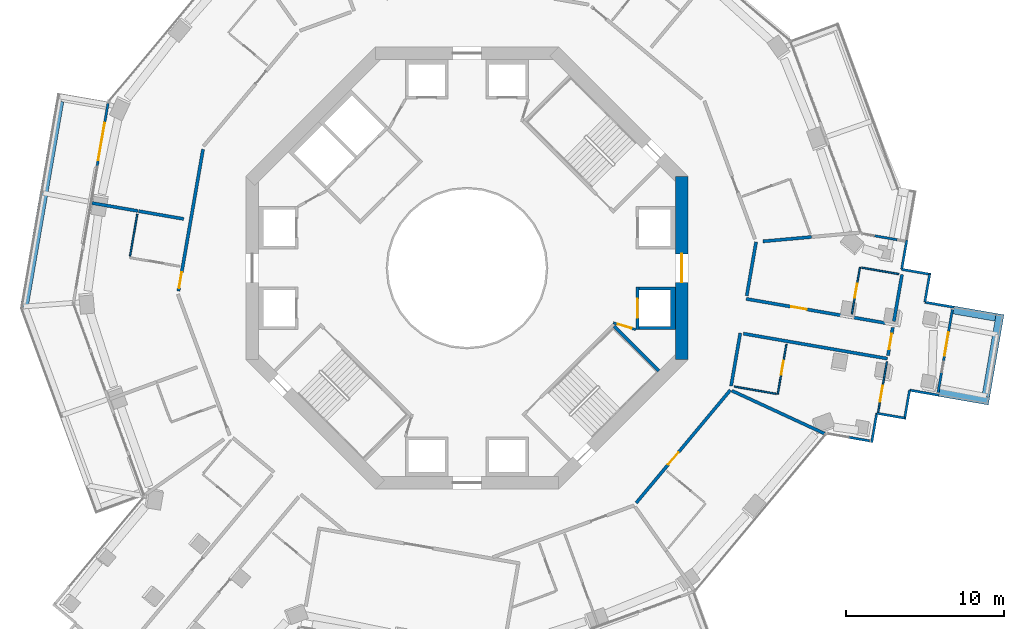
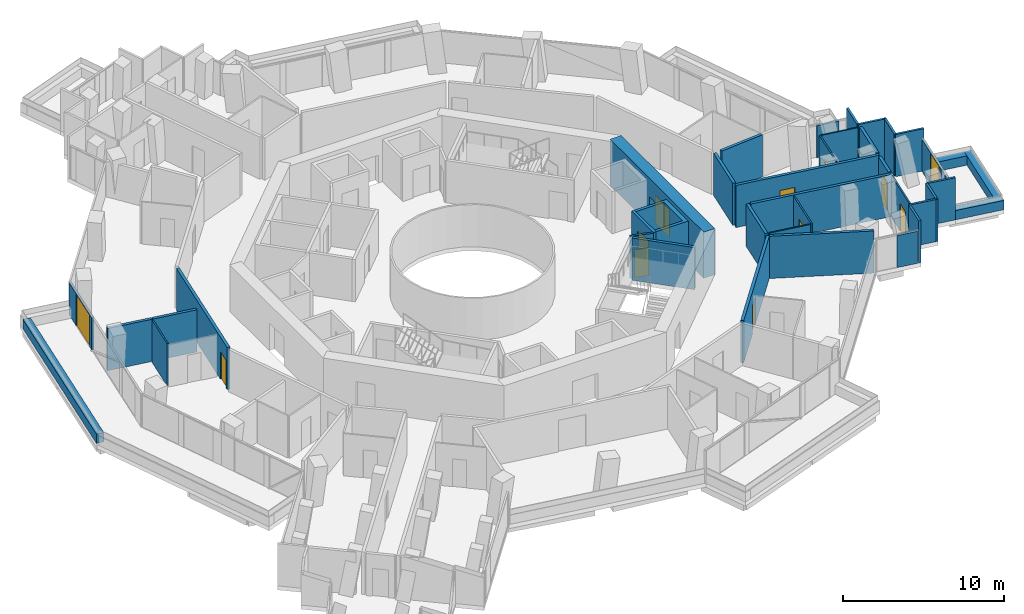
# One storey, part 18 of 24: 40 walls, 12 doors, 12 openings.
"""IFC4 building model written with IfcOpenShell, lengths in metres."""

from ifc_helpers import new_model, si_unit, direction, frame, frame_2d, origin, place, context, subcontext, project, spatial, polyline, rectangle, outline, extrude, material, layer, layer_set, type_object, element, fill, save


model = new_model("IFC4")

# Units and contexts
model_context = context("Model", 3, precision=1e-05, world=origin(), true_north=direction((0.0, 1.0)))
body_context = subcontext(model_context, "Body", "Model", "MODEL_VIEW")
ifc_project = project(units=[si_unit("LENGTHUNIT", "METRE"), si_unit("AREAUNIT", "SQUARE_METRE"), si_unit("VOLUMEUNIT", "CUBIC_METRE"), si_unit("PLANEANGLEUNIT", "RADIAN"), si_unit("MASSUNIT", "GRAM", prefix="KILO")], contexts=[model_context])

# Site, building, storey
site_placement = place(None, origin())
site = spatial("IfcSite", under=ifc_project, at=site_placement, CompositionType="ELEMENT")
building_placement = place(site_placement, origin())
building = spatial("IfcBuilding", under=site, at=building_placement, Name="Verdalira Terraces Hotel", CompositionType="ELEMENT")
storey_placement = place(building_placement, frame((0.0, 0.0, 115.0)))
storey = spatial("IfcBuildingStorey", under=building, at=storey_placement, Name="L27", CompositionType="ELEMENT", Elevation=115.0)

# Walls
ifc_material_1 = material(Name="Concrete C40", Category="concrete")
ifc_layer_1 = layer(ifc_material_1, 0.5)
ifc_layer_set_1 = layer_set([ifc_layer_1], Name="Balcony planter trough with tree")
wall_type_1 = type_object("IfcWallType", Name="Balcony planter trough with tree", PredefinedType="SOLIDWALL", material=ifc_layer_set_1)
wall_1_placement = place(storey_placement, frame((-25.782715, 10.561523, 0.0), z_axis=(0.0, 0.0, 1.0), x_axis=(-0.170892357, -0.985289705, 0.0)))
element("IfcWall", 1, at=wall_1_placement, inside=storey, type_object=wall_type_1, Name="Balcony planter", PredefinedType="SOLIDWALL", context=body_context, shape_type="SweptSolid", body=[
    extrude(rectangle(XDim=13.223389, YDim=0.5, at=frame_2d((6.611816, 0.0))), origin(), (0.0, 0.0, 1.0), 0.699951),
])
wall_2_placement = place(storey_placement, frame((29.912354, -7.87793, 0.0), z_axis=(0.0, 0.0, 1.0), x_axis=(0.985293977, -0.170867726, 0.0)))
element("IfcWall", 2, at=wall_2_placement, inside=storey, type_object=wall_type_1, Name="Balcony planter", PredefinedType="SOLIDWALL", context=body_context, shape_type="SweptSolid", body=[
    extrude(rectangle(XDim=3.199219, YDim=0.5, at=frame_2d((1.599609, 0.0))), origin(), (0.0, 0.0, 1.0), 0.699951),
])
wall_3_placement = place(storey_placement, frame((32.86084, -8.135498, 0.0), z_axis=(0.0, 0.0, 1.0), x_axis=(0.170901806, 0.985288066, 0.0)))
element("IfcWall", 3, at=wall_3_placement, inside=storey, type_object=wall_type_1, Name="Balcony planter", PredefinedType="SOLIDWALL", context=body_context, shape_type="SweptSolid", body=[
    extrude(rectangle(XDim=5.299805, YDim=0.5, at=frame_2d((2.649902, 0.0))), origin(), (0.0, 0.0, 1.0), 0.699951),
])
wall_4_placement = place(storey_placement, frame((33.477539, -3.117188, 0.0), z_axis=(0.0, 0.0, 1.0), x_axis=(-0.985279391, 0.170951808, 0.0)))
element("IfcWall", 4, at=wall_4_placement, inside=storey, type_object=wall_type_1, Name="Balcony planter", PredefinedType="SOLIDWALL", context=body_context, shape_type="SweptSolid", body=[
    extrude(rectangle(XDim=2.699219, YDim=0.5, at=frame_2d((1.349609, 0.0))), origin(), (0.0, 0.0, 1.0), 0.699951),
])
ifc_material_2 = material(Name="Moisture-resistant gypsum board partition")
ifc_layer_2 = layer(ifc_material_2, 0.10009765625)
ifc_layer_set_2 = layer_set([ifc_layer_2], Name="Bathroom partition 100 mm")
wall_type_2 = type_object("IfcWallType", Name="Bathroom partition 100 mm", PredefinedType="PARTITIONING", material=ifc_layer_set_2)
wall_5_placement = place(storey_placement, frame((-21.342773, 0.758545, 0.0), z_axis=(0.0, 0.0, 1.0), x_axis=(0.170993898, 0.985272088, 0.0)))
element("IfcWall", 5, at=wall_5_placement, inside=storey, type_object=wall_type_2, Name="Bathroom partition", PredefinedType="PARTITIONING", context=body_context, shape_type="SweptSolid", body=[
    extrude(rectangle(XDim=2.699951, YDim=0.100098, at=frame_2d((1.350098, 0.0))), origin(), (0.0, 0.0, 1.0), 3.189941),
])
wall_6_placement = place(storey_placement, frame((16.925049, -7.502686, 0.0), z_axis=(0.0, 0.0, 1.0), x_axis=(0.985274731, -0.170978665, 0.0)))
element("IfcWall", 6, at=wall_6_placement, inside=storey, type_object=wall_type_2, Name="Bathroom partition", PredefinedType="PARTITIONING", context=body_context, shape_type="SweptSolid", body=[
    extrude(rectangle(XDim=2.700195, YDim=0.100098, at=frame_2d((1.350098, 0.0))), origin(), (0.0, 0.0, 1.0), 3.189941),
])

# Wall, opening, door
wall_7_placement = place(storey_placement, frame((19.683838, -7.981201, 0.0), z_axis=(0.0, 0.0, 1.0), x_axis=(0.17090326, 0.985287814, 0.0)))
wall_7 = element("IfcWall", 7, at=wall_7_placement, inside=storey, type_object=wall_type_2, Name="Bathroom partition", PredefinedType="PARTITIONING", context=body_context, shape_type="SweptSolid", body=[
    extrude(rectangle(XDim=3.199951, YDim=0.100098, at=frame_2d((1.600098, 0.0))), origin(), (0.0, 0.0, 1.0), 3.189941),
])
opening_1_placement = place(wall_7_placement, frame((1.25, 0.0, 0.0)))
opening_1 = element("IfcOpeningElement", 8, at=opening_1_placement, cuts=wall_7, Name="Opening L27-124", PredefinedType="OPENING", context=body_context, shape_type="SweptSolid", body=[
    extrude(rectangle(XDim=0.899902, YDim=2.100098, at=frame_2d((0.449951, 1.050049))), frame((0.0, 0.060059, 0.0), z_axis=(0.0, -1.0, 0.0), x_axis=(1.0, 0.0, 0.0)), (0.0, 0.0, 1.0), 0.120117),
])
ifc_material_3 = material(Name="Timber door", Category="wood")
door_type_1 = type_object("IfcDoorType", Name="Bathroom door 900 x 2100", OperationType="NOTDEFINED", PredefinedType="DOOR", material=ifc_material_3)
door_1_placement = place(opening_1_placement, origin())
door_1 = element("IfcDoor", 9, at=door_1_placement, inside=storey, type_object=door_type_1, Name="Bathroom door 2711", OperationType="SINGLE_SWING_LEFT", OverallHeight=2.10009765625, OverallWidth=0.89990234375, PredefinedType="DOOR", context=body_context, shape_type="SweptSolid", body=[
    extrude(rectangle(XDim=0.899902, YDim=2.100098, at=frame_2d((0.449951, 1.050049))), frame((0.0, 0.024902, 0.0), z_axis=(0.0, -1.0, 0.0), x_axis=(1.0, 0.0, 0.0)), (0.0, 0.0, 1.0), 0.050049),
])
fill(opening_1, door_1)

wall_8_placement = place(storey_placement, frame((24.891846, 0.046631, 0.0), z_axis=(0.0, 0.0, 1.0), x_axis=(-0.170901547, -0.985288111, 0.0)))
wall_8 = element("IfcWall", 10, at=wall_8_placement, inside=storey, type_object=wall_type_2, Name="Bathroom partition", PredefinedType="PARTITIONING", context=body_context, shape_type="SweptSolid", body=[
    extrude(rectangle(XDim=3.0, YDim=0.100098, at=frame_2d((1.5, 0.0))), origin(), (0.0, 0.0, 1.0), 3.189941),
])
opening_2_placement = place(wall_8_placement, frame((1.050049, 0.0, 0.0)))
opening_2 = element("IfcOpeningElement", 11, at=opening_2_placement, cuts=wall_8, Name="Opening L27-126", PredefinedType="OPENING", context=body_context, shape_type="SweptSolid", body=[
    extrude(rectangle(XDim=0.899902, YDim=2.100098, at=frame_2d((0.449951, 1.050049))), frame((0.0, 0.060059, 0.0), z_axis=(0.0, -1.0, 0.0), x_axis=(1.0, 0.0, 0.0)), (0.0, 0.0, 1.0), 0.120117),
])
door_2_placement = place(opening_2_placement, origin())
door_2 = element("IfcDoor", 12, at=door_2_placement, inside=storey, type_object=door_type_1, Name="Bathroom door 2712", OperationType="SINGLE_SWING_LEFT", OverallHeight=2.10009765625, OverallWidth=0.89990234375, PredefinedType="DOOR", context=body_context, shape_type="SweptSolid", body=[
    extrude(rectangle(XDim=0.899902, YDim=2.100098, at=frame_2d((0.449951, 1.050049))), frame((0.0, 0.024902, 0.0), z_axis=(0.0, -1.0, 0.0), x_axis=(1.0, 0.0, 0.0)), (0.0, 0.0, 1.0), 0.050049),
])
fill(opening_2, door_2)

# Wall
wall_9_placement = place(storey_placement, frame((24.990479, 0.029541, 0.0), z_axis=(0.0, 0.0, 1.0), x_axis=(0.985286328, -0.170911826, 0.0)))
element("IfcWall", 13, at=wall_9_placement, inside=storey, type_object=wall_type_2, Name="Bathroom partition", PredefinedType="PARTITIONING", context=body_context, shape_type="SweptSolid", body=[
    extrude(rectangle(XDim=2.399902, YDim=0.100098, at=frame_2d((1.199951, 0.0))), origin(), (0.0, 0.0, 1.0), 3.189941),
])

# Wall, opening, door
wall_10_placement = place(storey_placement, frame((26.039307, -9.136475, 0.0), z_axis=(0.0, 0.0, 1.0), x_axis=(0.170945125, 0.985280551, 0.0)))
wall_10 = element("IfcWall", 14, at=wall_10_placement, inside=storey, type_object=wall_type_2, Name="Bathroom partition", PredefinedType="PARTITIONING", context=body_context, shape_type="SweptSolid", body=[
    extrude(rectangle(XDim=3.251953, YDim=0.100098, at=frame_2d((1.625977, 0.0))), origin(), (0.0, 0.0, 1.0), 3.189941),
])
opening_3_placement = place(wall_10_placement, frame((0.699951, 0.0, 0.0)))
opening_3 = element("IfcOpeningElement", 15, at=opening_3_placement, cuts=wall_10, Name="Opening L27-123", PredefinedType="OPENING", context=body_context, shape_type="SweptSolid", body=[
    extrude(rectangle(XDim=1.0, YDim=2.100098, at=frame_2d((0.5, 1.050049))), frame((0.0, 0.060059, 0.0), z_axis=(0.0, -1.0, 0.0), x_axis=(1.0, 0.0, 0.0)), (0.0, 0.0, 1.0), 0.120117),
])
ifc_material_4 = material(Name="Timber door", Category="wood")
door_type_2 = type_object("IfcDoorType", Name="Suite internal door 1000 x 2100", OperationType="NOTDEFINED", PredefinedType="DOOR", material=ifc_material_4)
door_3_placement = place(opening_3_placement, origin())
door_3 = element("IfcDoor", 16, at=door_3_placement, inside=storey, type_object=door_type_2, Name="Suite internal door 2711", OperationType="SINGLE_SWING_LEFT", OverallHeight=2.10009765625, OverallWidth=1.0, PredefinedType="DOOR", context=body_context, shape_type="SweptSolid", body=[
    extrude(rectangle(XDim=1.0, YDim=2.100098, at=frame_2d((0.5, 1.050049))), frame((0.0, 0.024902, 0.0), z_axis=(0.0, -1.0, 0.0), x_axis=(1.0, 0.0, 0.0)), (0.0, 0.0, 1.0), 0.050049),
])
fill(opening_3, door_3)

# Wall
ifc_material_5 = material(Name="Concrete C50", Category="concrete")
ifc_layer_3 = layer(ifc_material_5, 0.199951171875)
ifc_layer_set_3 = layer_set([ifc_layer_3], Name="Core RC wall 200 C50")
wall_type_3 = type_object("IfcWallType", Name="Core RC wall 200 C50", PredefinedType="SOLIDWALL", material=ifc_layer_set_3)
wall_11_placement = place(storey_placement, origin())
element("IfcWall", 17, at=wall_11_placement, inside=storey, type_object=wall_type_3, Name="L27 shaft wall E1", PredefinedType="SOLIDWALL", context=body_context, shape_type="SweptSolid", body=[
    extrude(outline(polyline([(13.199951, -3.899902), (10.899902, -3.899902), (10.899902, -3.699951), (12.899902, -3.699951), (12.899902, -1.399902), (10.899902, -1.399902), (10.899902, -1.199951), (13.199951, -1.199951), (13.199951, -3.899902)])), origin(), (0.0, 0.0, 1.0), 3.189941),
])

# Wall, opening, door
wall_12_placement = place(storey_placement, frame((10.800049, -1.199951, 0.0), z_axis=(0.0, 0.0, 1.0), x_axis=(0.0, -1.0, 0.0)))
wall_12 = element("IfcWall", 18, at=wall_12_placement, inside=storey, type_object=wall_type_3, Name="L27 shaft front wall E1", PredefinedType="SOLIDWALL", context=body_context, shape_type="SweptSolid", body=[
    extrude(rectangle(XDim=2.699951, YDim=0.199951, at=frame_2d((1.350098, 0.0))), origin(), (0.0, 0.0, 1.0), 3.189941),
])
opening_4_placement = place(wall_12_placement, frame((0.75, 0.0, 0.0)))
opening_4 = element("IfcOpeningElement", 19, at=opening_4_placement, cuts=wall_12, Name="Opening LD-L27-801", PredefinedType="OPENING", context=body_context, shape_type="SweptSolid", body=[
    extrude(rectangle(XDim=1.199951, YDim=2.100098, at=frame_2d((0.600098, 1.050049))), frame((0.0, 0.109863, 0.0), z_axis=(0.0, -1.0, 0.0), x_axis=(1.0, 0.0, 0.0)), (0.0, 0.0, 1.0), 0.219971),
])
ifc_material_6 = material(Name="Stainless steel", Category="steel")
door_type_3 = type_object("IfcDoorType", Name="Landing door 1200 x 2100", OperationType="NOTDEFINED", PredefinedType="DOOR", material=ifc_material_6)
door_4_placement = place(opening_4_placement, origin())
door_4 = element("IfcDoor", 20, at=door_4_placement, inside=storey, type_object=door_type_3, Name="Lift landing door LR1 L27", OperationType="DOUBLE_DOOR_SLIDING", OverallHeight=2.10009765625, OverallWidth=1.199951171875, PredefinedType="DOOR", context=body_context, shape_type="SweptSolid", body=[
    extrude(rectangle(XDim=1.199951, YDim=2.100098, at=frame_2d((0.600098, 1.050049))), frame((0.0, 0.024902, 0.0), z_axis=(0.0, -1.0, 0.0), x_axis=(1.0, 0.0, 0.0)), (0.0, 0.0, 1.0), 0.050049),
])
fill(opening_4, door_4)

# Wall
wall_13_placement = place(storey_placement, frame((9.33374, -3.677002, 0.0), z_axis=(0.0, 0.0, 1.0), x_axis=(0.707106781, -0.707106781, 0.0)))
element("IfcWall", 21, at=wall_13_placement, inside=storey, type_object=wall_type_3, Name="L27 stair ST3 end wall 2", PredefinedType="SOLIDWALL", context=body_context, shape_type="SweptSolid", body=[
    extrude(rectangle(XDim=4.0, YDim=0.199951, at=frame_2d((2.0, 0.0))), origin(), (0.0, 0.0, 1.0), 3.189941),
])

# Wall, opening, door
ifc_material_7 = material(Name="Gypsum board partition")
ifc_layer_4 = layer(ifc_material_7, 0.14990234375)
ifc_layer_set_4 = layer_set([ifc_layer_4], Name="Core partition 150 mm")
wall_type_4 = type_object("IfcWallType", Name="Core partition 150 mm", PredefinedType="PARTITIONING", material=ifc_layer_set_4)
wall_14_placement = place(storey_placement, frame((9.263184, -3.464844, 0.0), z_axis=(0.0, 0.0, 1.0), x_axis=(0.957084567, -0.289808785, 0.0)))
wall_14 = element("IfcWall", 22, at=wall_14_placement, inside=storey, type_object=wall_type_4, Name="Room partition L27", PredefinedType="PARTITIONING", context=body_context, shape_type="SweptSolid", body=[
    extrude(rectangle(XDim=1.501221, YDim=0.149902, at=frame_2d((0.750488, 0.0))), origin(), (0.0, 0.0, 1.0), 3.189941),
])
opening_5_placement = place(wall_14_placement, frame((0.300781, 0.0, 0.0)))
opening_5 = element("IfcOpeningElement", 23, at=opening_5_placement, cuts=wall_14, Name="Opening L27-824", PredefinedType="OPENING", context=body_context, shape_type="SweptSolid", body=[
    extrude(rectangle(XDim=0.899902, YDim=2.100098, at=frame_2d((0.449951, 1.050049))), frame((0.0, 0.084961, 0.0), z_axis=(0.0, -1.0, 0.0), x_axis=(1.0, 0.0, 0.0)), (0.0, 0.0, 1.0), 0.169922),
])
ifc_material_8 = material(Name="Steel fire door", Category="steel")
door_type_4 = type_object("IfcDoorType", Name="Core room door 900 x 2100", OperationType="NOTDEFINED", PredefinedType="DOOR", material=ifc_material_8)
door_5_placement = place(opening_5_placement, origin())
door_5 = element("IfcDoor", 24, at=door_5_placement, inside=storey, type_object=door_type_4, Name="Door L27 room7", OperationType="SINGLE_SWING_LEFT", OverallHeight=2.10009765625, OverallWidth=0.89990234375, PredefinedType="DOOR", context=body_context, shape_type="SweptSolid", body=[
    extrude(rectangle(XDim=0.899902, YDim=2.100098, at=frame_2d((0.449951, 1.050049))), frame((0.0, 0.024902, 0.0), z_axis=(0.0, -1.0, 0.0), x_axis=(1.0, 0.0, 0.0)), (0.0, 0.0, 1.0), 0.050049),
])
fill(opening_5, door_5)

ifc_material_9 = material(Name="Concrete C70", Category="concrete")
ifc_layer_5 = layer(ifc_material_9, 0.800048828125)
ifc_layer_set_5 = layer_set([ifc_layer_5], Name="Core wall 800 C70")
wall_type_5 = type_object("IfcWallType", Name="Core wall 800 C70", PredefinedType="SHEAR", material=ifc_layer_set_5)
wall_15_placement = place(storey_placement, frame((13.600098, -5.799072, 0.0), z_axis=(0.0, 0.0, 1.0), x_axis=(0.0, 1.0, 0.0)))
wall_15 = element("IfcWall", 25, at=wall_15_placement, inside=storey, type_object=wall_type_5, Name="Core wall CW-L27-1", PredefinedType="SHEAR", context=body_context, shape_type="SweptSolid", body=[
    extrude(rectangle(XDim=11.598145, YDim=0.800049, at=frame_2d((5.799072, 0.0))), origin(), (0.0, 0.0, 1.0), 3.5),
])
opening_6_placement = place(wall_15_placement, frame((4.898926, 0.0, 0.0)))
opening_6 = element("IfcOpeningElement", 26, at=opening_6_placement, cuts=wall_15, Name="Opening L27-812", PredefinedType="OPENING", context=body_context, shape_type="SweptSolid", body=[
    extrude(rectangle(XDim=1.800049, YDim=2.100098, at=frame_2d((0.899902, 1.050049))), frame((0.0, 0.409912, 0.0), z_axis=(0.0, -1.0, 0.0), x_axis=(1.0, 0.0, 0.0)), (0.0, 0.0, 1.0), 0.820068),
])
ifc_material_10 = material(Name="Steel fire door", Category="steel")
door_type_5 = type_object("IfcDoorType", Name="Core entry door pair 1800 x 2100", OperationType="NOTDEFINED", PredefinedType="DOOR", material=ifc_material_10)
door_6_placement = place(opening_6_placement, origin())
door_6 = element("IfcDoor", 27, at=door_6_placement, inside=storey, type_object=door_type_5, Name="Core entry door L27 0", OperationType="DOUBLE_DOOR_SINGLE_SWING", OverallHeight=2.10009765625, OverallWidth=1.800048828125, PredefinedType="DOOR", context=body_context, shape_type="SweptSolid", body=[
    extrude(rectangle(XDim=1.800049, YDim=2.100098, at=frame_2d((0.899902, 1.050049))), frame((0.0, 0.024902, 0.0), z_axis=(0.0, -1.0, 0.0), x_axis=(1.0, 0.0, 0.0)), (0.0, 0.0, 1.0), 0.050049),
])
fill(opening_6, door_6)

# Walls
ifc_material_11 = material(Name="Fire-rated gypsum board wall")
ifc_layer_6 = layer(ifc_material_11, 0.199951171875)
ifc_layer_set_6 = layer_set([ifc_layer_6], Name="Demising wall 200 mm")
wall_type_6 = type_object("IfcWallType", Name="Demising wall 200 mm", PredefinedType="SOLIDWALL", material=ifc_layer_set_6)
wall_16_placement = place(storey_placement, frame((-20.845215, 3.615479, 0.0), z_axis=(0.0, 0.0, 1.0), x_axis=(-0.985279058, 0.170953732, 0.0)))
element("IfcWall", 28, at=wall_16_placement, inside=storey, type_object=wall_type_6, Name="Demising wall", PredefinedType="SOLIDWALL", context=body_context, shape_type="SweptSolid", body=[
    extrude(rectangle(XDim=2.951904, YDim=0.199951, at=frame_2d((1.476074, 0.0))), origin(), (0.0, 0.0, 1.0), 3.189941),
])
wall_17_placement = place(storey_placement, frame((-17.937744, 3.111328, 0.0), z_axis=(0.0, 0.0, 1.0), x_axis=(-0.985293685, 0.170869407, 0.0)))
element("IfcWall", 29, at=wall_17_placement, inside=storey, type_object=wall_type_6, Name="Demising wall", PredefinedType="SOLIDWALL", context=body_context, shape_type="SweptSolid", body=[
    extrude(rectangle(XDim=2.904785, YDim=0.199951, at=frame_2d((1.452393, 0.0))), origin(), (0.0, 0.0, 1.0), 3.189941),
])
wall_18_placement = place(storey_placement, frame((16.777832, -7.766602, 0.0), z_axis=(0.0, 0.0, 1.0), x_axis=(0.907481014, -0.420093097, 0.0)))
element("IfcWall", 30, at=wall_18_placement, inside=storey, type_object=wall_type_6, Name="Demising wall", PredefinedType="SOLIDWALL", context=body_context, shape_type="SweptSolid", body=[
    extrude(rectangle(XDim=6.47583, YDim=0.199951, at=frame_2d((3.237793, 0.0))), origin(), (0.0, 0.0, 1.0), 3.189941),
])
wall_19_placement = place(storey_placement, frame((18.755615, 1.693604, 0.0), z_axis=(0.0, 0.0, 1.0), x_axis=(0.995945109, 0.089962992, 0.0)))
element("IfcWall", 31, at=wall_19_placement, inside=storey, type_object=wall_type_6, Name="Demising wall", PredefinedType="SOLIDWALL", context=body_context, shape_type="SweptSolid", body=[
    extrude(rectangle(XDim=3.074707, YDim=0.199951, at=frame_2d((1.537354, 0.0))), origin(), (0.0, 0.0, 1.0), 3.189941),
])
wall_20_placement = place(storey_placement, frame((27.039062, -3.372559, 0.0), z_axis=(0.0, 0.0, 1.0), x_axis=(0.170905594, 0.985287409, 0.0)))
element("IfcWall", 32, at=wall_20_placement, inside=storey, type_object=wall_type_6, Name="Demising wall", PredefinedType="SOLIDWALL", context=body_context, shape_type="SweptSolid", body=[
    extrude(rectangle(XDim=3.00415, YDim=0.199951, at=frame_2d((1.501953, 0.0))), origin(), (0.0, 0.0, 1.0), 3.189941),
])

# Wall, opening, door
ifc_material_12 = material(Name="Fire-rated gypsum board wall")
ifc_layer_7 = layer(ifc_material_12, 0.199951171875)
ifc_layer_set_7 = layer_set([ifc_layer_7], Name="Guest corridor wall 200 mm")
wall_type_7 = type_object("IfcWallType", Name="Guest corridor wall 200 mm", PredefinedType="SOLIDWALL", material=ifc_layer_set_7)
wall_21_placement = place(storey_placement, frame((-18.275879, -1.455811, 0.0), z_axis=(0.0, 0.0, 1.0), x_axis=(0.170875476, 0.985292633, 0.0)))
wall_21 = element("IfcWall", 33, at=wall_21_placement, inside=storey, type_object=wall_type_7, Name="Guest corridor wall", PredefinedType="SOLIDWALL", context=body_context, shape_type="SweptSolid", body=[
    extrude(rectangle(XDim=9.115479, YDim=0.199951, at=frame_2d((4.557617, 0.0))), origin(), (0.0, 0.0, 1.0), 3.189941),
])
opening_7_placement = place(wall_21_placement, frame((0.199951, 0.0, 0.0)))
opening_7 = element("IfcOpeningElement", 34, at=opening_7_placement, cuts=wall_21, Name="Opening L27-108", PredefinedType="OPENING", context=body_context, shape_type="SweptSolid", body=[
    extrude(rectangle(XDim=1.0, YDim=2.100098, at=frame_2d((0.5, 1.050049))), frame((0.0, 0.109863, 0.0), z_axis=(0.0, -1.0, 0.0), x_axis=(1.0, 0.0, 0.0)), (0.0, 0.0, 1.0), 0.219971),
])
ifc_material_13 = material(Name="Timber fire door", Category="wood")
door_type_6 = type_object("IfcDoorType", Name="Guest entry door 1000 x 2100", OperationType="NOTDEFINED", PredefinedType="DOOR", material=ifc_material_13)
door_7_placement = place(opening_7_placement, origin())
door_7 = element("IfcDoor", 35, at=door_7_placement, inside=storey, type_object=door_type_6, Name="Guest entry door 2704", OperationType="SINGLE_SWING_LEFT", OverallHeight=2.10009765625, OverallWidth=1.0, PredefinedType="DOOR", context=body_context, shape_type="SweptSolid", body=[
    extrude(rectangle(XDim=1.0, YDim=2.100098, at=frame_2d((0.5, 1.050049))), frame((0.0, 0.024902, 0.0), z_axis=(0.0, -1.0, 0.0), x_axis=(1.0, 0.0, 0.0)), (0.0, 0.0, 1.0), 0.050049),
])
fill(opening_7, door_7)

wall_22_placement = place(storey_placement, frame((16.683838, -7.723145, 0.0), z_axis=(0.0, 0.0, 1.0), x_axis=(-0.640640516, -0.767840953, 0.0)))
wall_22 = element("IfcWall", 36, at=wall_22_placement, inside=storey, type_object=wall_type_7, Name="Guest corridor wall", PredefinedType="SOLIDWALL", context=body_context, shape_type="SweptSolid", body=[
    extrude(rectangle(XDim=9.316406, YDim=0.199951, at=frame_2d((4.658203, 0.0))), origin(), (0.0, 0.0, 1.0), 3.189941),
])
opening_8_placement = place(wall_22_placement, frame((5.149902, 0.0, 0.0)))
opening_8 = element("IfcOpeningElement", 37, at=opening_8_placement, cuts=wall_22, Name="Opening L27-120", PredefinedType="OPENING", context=body_context, shape_type="SweptSolid", body=[
    extrude(rectangle(XDim=1.0, YDim=2.100098, at=frame_2d((0.5, 1.050049))), frame((0.0, 0.109863, 0.0), z_axis=(0.0, -1.0, 0.0), x_axis=(1.0, 0.0, 0.0)), (0.0, 0.0, 1.0), 0.219971),
])
door_8_placement = place(opening_8_placement, origin())
door_8 = element("IfcDoor", 38, at=door_8_placement, inside=storey, type_object=door_type_6, Name="Guest entry door 2710", OperationType="SINGLE_SWING_LEFT", OverallHeight=2.10009765625, OverallWidth=1.0, PredefinedType="DOOR", context=body_context, shape_type="SweptSolid", body=[
    extrude(rectangle(XDim=1.0, YDim=2.100098, at=frame_2d((0.5, 1.050049))), frame((0.0, 0.024902, 0.0), z_axis=(0.0, -1.0, 0.0), x_axis=(1.0, 0.0, 0.0)), (0.0, 0.0, 1.0), 0.050049),
])
fill(opening_8, door_8)

# Walls
wall_23_placement = place(storey_placement, frame((16.728027, -7.46875, 0.0), z_axis=(0.0, 0.0, 1.0), x_axis=(0.170892681, 0.985289649, 0.0)))
element("IfcWall", 39, at=wall_23_placement, inside=storey, type_object=wall_type_7, Name="Guest corridor wall", PredefinedType="SOLIDWALL", context=body_context, shape_type="SweptSolid", body=[
    extrude(rectangle(XDim=3.400146, YDim=0.199951, at=frame_2d((1.700195, 0.0))), origin(), (0.0, 0.0, 1.0), 3.189941),
])
wall_24_placement = place(storey_placement, frame((17.719238, -1.753906, 0.0), z_axis=(0.0, 0.0, 1.0), x_axis=(0.170909172, 0.985286788, 0.0)))
element("IfcWall", 40, at=wall_24_placement, inside=storey, type_object=wall_type_7, Name="Guest corridor wall", PredefinedType="SOLIDWALL", context=body_context, shape_type="SweptSolid", body=[
    extrude(rectangle(XDim=3.458252, YDim=0.199951, at=frame_2d((1.729004, 0.0))), origin(), (0.0, 0.0, 1.0), 3.189941),
])
wall_25_placement = place(storey_placement, frame((17.506104, -4.152832, 0.0), z_axis=(0.0, 0.0, 1.0), x_axis=(0.98529157, -0.170881604, 0.0)))
element("IfcWall", 41, at=wall_25_placement, inside=storey, type_object=wall_type_7, Name="Guest corridor wall", PredefinedType="SOLIDWALL", context=body_context, shape_type="SweptSolid", body=[
    extrude(rectangle(XDim=9.259521, YDim=0.199951, at=frame_2d((4.629883, 0.0))), origin(), (0.0, 0.0, 1.0), 3.189941),
])

# Wall, opening, door
wall_26_placement = place(storey_placement, frame((17.685059, -1.950928, 0.0), z_axis=(0.0, 0.0, 1.0), x_axis=(0.98528705, -0.170907661, 0.0)))
wall_26 = element("IfcWall", 42, at=wall_26_placement, inside=storey, type_object=wall_type_7, Name="Guest corridor wall", PredefinedType="SOLIDWALL", context=body_context, shape_type="SweptSolid", body=[
    extrude(rectangle(XDim=9.459473, YDim=0.199951, at=frame_2d((4.729736, 0.0))), origin(), (0.0, 0.0, 1.0), 3.189941),
])
opening_9_placement = place(wall_26_placement, frame((2.899902, 0.0, 0.0)))
opening_9 = element("IfcOpeningElement", 43, at=opening_9_placement, cuts=wall_26, Name="Opening L27-125", PredefinedType="OPENING", context=body_context, shape_type="SweptSolid", body=[
    extrude(rectangle(XDim=1.0, YDim=2.100098, at=frame_2d((0.5, 1.050049))), frame((0.0, 0.109863, 0.0), z_axis=(0.0, -1.0, 0.0), x_axis=(1.0, 0.0, 0.0)), (0.0, 0.0, 1.0), 0.219971),
])
door_9_placement = place(opening_9_placement, origin())
door_9 = element("IfcDoor", 44, at=door_9_placement, inside=storey, type_object=door_type_6, Name="Guest entry door 2712", OperationType="SINGLE_SWING_LEFT", OverallHeight=2.10009765625, OverallWidth=1.0, PredefinedType="DOOR", context=body_context, shape_type="SweptSolid", body=[
    extrude(rectangle(XDim=1.0, YDim=2.100098, at=frame_2d((0.5, 1.050049))), frame((0.0, 0.024902, 0.0), z_axis=(0.0, -1.0, 0.0), x_axis=(1.0, 0.0, 0.0)), (0.0, 0.0, 1.0), 0.050049),
])
fill(opening_9, door_9)

wall_27_placement = place(storey_placement, frame((26.971436, -3.762695, 0.0), z_axis=(0.0, 0.0, 1.0), x_axis=(-0.170912843, -0.985286151, 0.0)))
wall_27 = element("IfcWall", 45, at=wall_27_placement, inside=storey, type_object=wall_type_7, Name="Guest corridor wall", PredefinedType="SOLIDWALL", context=body_context, shape_type="SweptSolid", body=[
    extrude(rectangle(XDim=1.804199, YDim=0.199951, at=frame_2d((0.9021, 0.0))), origin(), (0.0, 0.0, 1.0), 3.189941),
])
opening_10_placement = place(wall_27_placement, frame((0.399902, 0.0, 0.0)))
opening_10 = element("IfcOpeningElement", 46, at=opening_10_placement, cuts=wall_27, Name="Opening L27-122", PredefinedType="OPENING", context=body_context, shape_type="SweptSolid", body=[
    extrude(rectangle(XDim=1.0, YDim=2.100098, at=frame_2d((0.5, 1.050049))), frame((0.0, 0.109863, 0.0), z_axis=(0.0, -1.0, 0.0), x_axis=(1.0, 0.0, 0.0)), (0.0, 0.0, 1.0), 0.219971),
])
door_10_placement = place(opening_10_placement, origin())
door_10 = element("IfcDoor", 47, at=door_10_placement, inside=storey, type_object=door_type_6, Name="Guest entry door 2711", OperationType="SINGLE_SWING_LEFT", OverallHeight=2.10009765625, OverallWidth=1.0, PredefinedType="DOOR", context=body_context, shape_type="SweptSolid", body=[
    extrude(rectangle(XDim=1.0, YDim=2.100098, at=frame_2d((0.5, 1.050049))), frame((0.0, 0.024902, 0.0), z_axis=(0.0, -1.0, 0.0), x_axis=(1.0, 0.0, 0.0)), (0.0, 0.0, 1.0), 0.050049),
])
fill(opening_10, door_10)

# Walls
ifc_material_14 = material(Name="Terracotta cladding", Category="masonry")
ifc_layer_8 = layer(ifc_material_14, 0.14990234375)
ifc_layer_set_8 = layer_set([ifc_layer_8], Name="Terracotta clad wall 150")
wall_type_8 = type_object("IfcWallType", Name="Terracotta clad wall 150", PredefinedType="SOLIDWALL", material=ifc_layer_set_8)
wall_28_placement = place(storey_placement, frame((25.632568, -11.042969, 0.0), z_axis=(0.0, 0.0, 1.0), x_axis=(0.170835603, 0.985299547, 0.0)))
element("IfcWall", 48, at=wall_28_placement, inside=storey, type_object=wall_type_8, Name="Terracotta cladding wall", PredefinedType="SOLIDWALL", context=body_context, shape_type="SweptSolid", body=[
    extrude(rectangle(XDim=1.875, YDim=0.149902, at=frame_2d((0.9375, 0.0))), origin(), (0.0, 0.0, 1.0), 3.189941),
])
wall_29_placement = place(storey_placement, frame((25.952881, -9.195557, 0.0), z_axis=(0.0, 0.0, 1.0), x_axis=(0.985291279, -0.170883278, 0.0)))
element("IfcWall", 49, at=wall_29_placement, inside=storey, type_object=wall_type_8, Name="Terracotta cladding wall", PredefinedType="SOLIDWALL", context=body_context, shape_type="SweptSolid", body=[
    extrude(rectangle(XDim=1.800049, YDim=0.149902, at=frame_2d((0.899902, 0.0))), origin(), (0.0, 0.0, 1.0), 3.189941),
])
for number, where, z_axis, x_axis, name in (
    (50, (27.713623, -9.577148, 0.0), (0.0, 0.0, 1.0), (0.170962008, 0.985277622, 0.0), "Terracotta cladding wall"),
    (51, (28.03418, -7.729736, 0.0), (0.0, 0.0, 1.0), (0.985299547, -0.170835603, 0.0), "Terracotta cladding wall"),
    (52, (30.847168, -2.483154, 0.0), (0.0, 0.0, 1.0), (-0.985299547, 0.170835603, 0.0), "Terracotta cladding wall"),
):
    element("IfcWall", number, at=place(storey_placement, frame(where, z_axis=z_axis, x_axis=x_axis)), inside=storey, type_object=wall_type_8, Name=name, PredefinedType="SOLIDWALL", context=body_context, shape_type="SweptSolid", body=[
        extrude(rectangle(XDim=1.875, YDim=0.149902, at=frame_2d((0.9375, 0.0))), origin(), (0.0, 0.0, 1.0), 3.189941),
    ])
wall_30_placement = place(storey_placement, frame((28.999756, -2.162842, 0.0), z_axis=(0.0, 0.0, 1.0), x_axis=(0.170883278, 0.985291279, 0.0)))
element("IfcWall", 53, at=wall_30_placement, inside=storey, type_object=wall_type_8, Name="Terracotta cladding wall", PredefinedType="SOLIDWALL", context=body_context, shape_type="SweptSolid", body=[
    extrude(rectangle(XDim=1.800049, YDim=0.149902, at=frame_2d((0.899902, 0.0))), origin(), (0.0, 0.0, 1.0), 3.189941),
])
for number, where, z_axis, x_axis, name in (
    (54, (29.381104, -0.4021, 0.0), (0.0, 0.0, 1.0), (-0.985277622, 0.170962008, 0.0), "Terracotta cladding wall"),
    (55, (27.533691, -0.081543, 0.0), (0.0, 0.0, 1.0), (0.170962008, 0.985277622, 0.0), "Terracotta cladding wall"),
):
    element("IfcWall", number, at=place(storey_placement, frame(where, z_axis=z_axis, x_axis=x_axis)), inside=storey, type_object=wall_type_8, Name=name, PredefinedType="SOLIDWALL", context=body_context, shape_type="SweptSolid", body=[
        extrude(rectangle(XDim=1.875, YDim=0.149902, at=frame_2d((0.9375, 0.0))), origin(), (0.0, 0.0, 1.0), 3.189941),
    ])
ifc_material_15 = material(Name="Terracotta cladding", Category="masonry")
ifc_layer_9 = layer(ifc_material_15, 0.14990234375)
ifc_layer_set_9 = layer_set([ifc_layer_9], Name="Terracotta column pier 150")
wall_type_9 = type_object("IfcWallType", Name="Terracotta column pier 150", PredefinedType="SOLIDWALL", material=ifc_layer_set_9)
wall_31_placement = place(storey_placement, frame((24.174561, -10.713867, 0.0), z_axis=(0.0, 0.0, 1.0), x_axis=(0.985270197, -0.171004792, 0.0)))
element("IfcWall", 56, at=wall_31_placement, inside=storey, type_object=wall_type_9, Name="Terracotta column pier", PredefinedType="SOLIDWALL", context=body_context, shape_type="SweptSolid", body=[
    extrude(rectangle(XDim=1.347656, YDim=0.149902, at=frame_2d((0.673828, 0.0))), origin(), (0.0, 0.0, 1.0), 2.425049),
])
wall_32_placement = place(storey_placement, frame((29.834229, -7.884521, 0.0), z_axis=(0.0, 0.0, 1.0), x_axis=(0.170741326, 0.985315888, 0.0)))
element("IfcWall", 57, at=wall_32_placement, inside=storey, type_object=wall_type_9, Name="Terracotta column pier", PredefinedType="SOLIDWALL", context=body_context, shape_type="SweptSolid", body=[
    extrude(rectangle(XDim=1.322754, YDim=0.149902, at=frame_2d((0.661377, 0.0))), origin(), (0.0, 0.0, 1.0), 2.425049),
])
wall_33_placement = place(storey_placement, frame((27.245361, 1.795166, 0.0), z_axis=(0.0, 0.0, 1.0), x_axis=(-0.985283183, 0.170929952, 0.0)))
element("IfcWall", 58, at=wall_33_placement, inside=storey, type_object=wall_type_9, Name="Terracotta column pier", PredefinedType="SOLIDWALL", context=body_context, shape_type="SweptSolid", body=[
    extrude(rectangle(XDim=1.478271, YDim=0.149902, at=frame_2d((0.739258, 0.0))), origin(), (0.0, 0.0, 1.0), 2.425049),
])

# Wall, opening, door
ifc_material_16 = material(Name="Terracotta cladding", Category="masonry")
ifc_layer_10 = layer(ifc_material_16, 0.14990234375)
ifc_layer_set_10 = layer_set([ifc_layer_10], Name="Terracotta door pier 150")
wall_type_10 = type_object("IfcWallType", Name="Terracotta door pier 150", PredefinedType="SOLIDWALL", material=ifc_layer_set_10)
wall_34_placement = place(storey_placement, frame((-22.733887, 10.438477, 0.0), z_axis=(0.0, 0.0, 1.0), x_axis=(-0.170877623, -0.98529226, 0.0)))
wall_34 = element("IfcWall", 59, at=wall_34_placement, inside=storey, type_object=wall_type_10, Name="Terracotta door pier", PredefinedType="SOLIDWALL", context=body_context, shape_type="SweptSolid", body=[
    extrude(rectangle(XDim=4.067627, YDim=0.149902, at=frame_2d((2.033691, 0.0))), origin(), (0.0, 0.0, 1.0), 2.425049),
])
opening_11_placement = place(wall_34_placement, frame((1.267822, 0.0, 0.0)))
opening_11 = element("IfcOpeningElement", 60, at=opening_11_placement, cuts=wall_34, Name="Opening L27-B02", PredefinedType="OPENING", context=body_context, shape_type="SweptSolid", body=[
    extrude(rectangle(XDim=2.399902, YDim=2.399902, at=frame_2d((1.199951, 1.199951))), frame((0.0, 0.084961, 0.0), z_axis=(0.0, -1.0, 0.0), x_axis=(1.0, 0.0, 0.0)), (0.0, 0.0, 1.0), 0.169922),
])
ifc_material_17 = material(Name="Clear glass", Category="glass")
door_type_7 = type_object("IfcDoorType", Name="Balcony sliding door 2400x2400", OperationType="NOTDEFINED", PredefinedType="DOOR", material=ifc_material_17)
door_11_placement = place(opening_11_placement, origin())
door_11 = element("IfcDoor", 61, at=door_11_placement, inside=storey, type_object=door_type_7, Name="Balcony sliding door", OperationType="SLIDING_TO_LEFT", OverallHeight=2.39990234375, OverallWidth=2.39990234375, PredefinedType="DOOR", context=body_context, shape_type="SweptSolid", body=[
    extrude(rectangle(XDim=2.399902, YDim=2.399902, at=frame_2d((1.199951, 1.199951))), frame((0.0, 0.024902, 0.0), z_axis=(0.0, -1.0, 0.0), x_axis=(1.0, 0.0, 0.0)), (0.0, 0.0, 1.0), 0.050049),
])
fill(opening_11, door_11)

wall_35_placement = place(storey_placement, frame((30.170898, -5.943604, 0.0), z_axis=(0.0, 0.0, 1.0), x_axis=(0.170891748, 0.98528981, 0.0)))
wall_35 = element("IfcWall", 62, at=wall_35_placement, inside=storey, type_object=wall_type_10, Name="Terracotta door pier", PredefinedType="SOLIDWALL", context=body_context, shape_type="SweptSolid", body=[
    extrude(rectangle(XDim=3.370117, YDim=0.149902, at=frame_2d((1.685059, 0.0))), origin(), (0.0, 0.0, 1.0), 2.425049),
])
opening_12_placement = place(wall_35_placement, frame((0.399902, 0.0, 0.0)))
opening_12 = element("IfcOpeningElement", 63, at=opening_12_placement, cuts=wall_35, Name="Opening L27-B08", PredefinedType="OPENING", context=body_context, shape_type="SweptSolid", body=[
    extrude(rectangle(XDim=1.5, YDim=2.399902, at=frame_2d((0.75, 1.199951))), frame((0.0, 0.084961, 0.0), z_axis=(0.0, -1.0, 0.0), x_axis=(1.0, 0.0, 0.0)), (0.0, 0.0, 1.0), 0.169922),
])
ifc_material_18 = material(Name="Clear glass", Category="glass")
door_type_8 = type_object("IfcDoorType", Name="Balcony sliding door 1500x2400", OperationType="NOTDEFINED", PredefinedType="DOOR", material=ifc_material_18)
door_12_placement = place(opening_12_placement, origin())
door_12 = element("IfcDoor", 64, at=door_12_placement, inside=storey, type_object=door_type_8, Name="Balcony sliding door", OperationType="SLIDING_TO_RIGHT", OverallHeight=2.39990234375, OverallWidth=1.5, PredefinedType="DOOR", context=body_context, shape_type="SweptSolid", body=[
    extrude(rectangle(XDim=1.5, YDim=2.399902, at=frame_2d((0.75, 1.199951))), frame((0.0, 0.024902, 0.0), z_axis=(0.0, -1.0, 0.0), x_axis=(1.0, 0.0, 0.0)), (0.0, 0.0, 1.0), 0.050049),
])
fill(opening_12, door_12)

save(model, "model.ifc")
